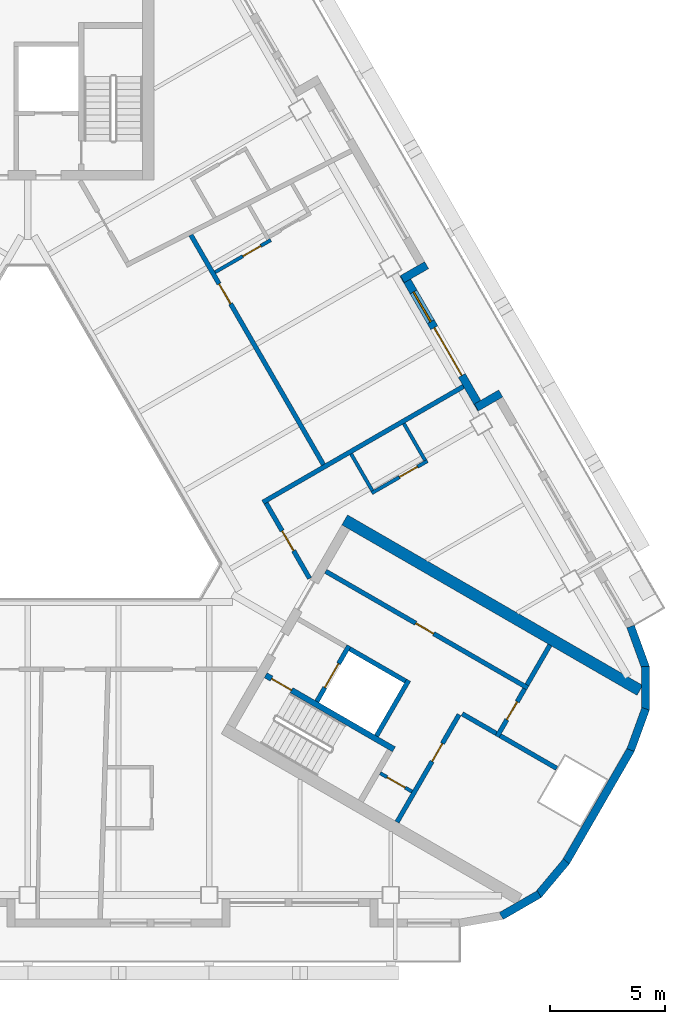
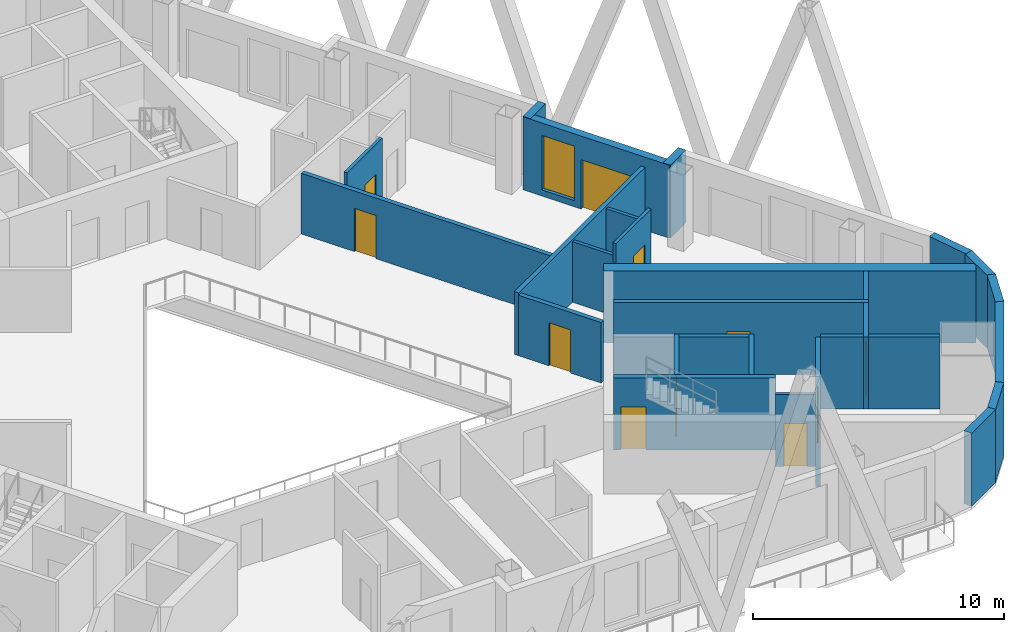
# One storey, part 5 of 14: 28 walls, 11 doors, 1 window, 12 openings.
"""IFC4 building model written with IfcOpenShell, lengths in metres."""

from ifc_helpers import new_model, si_unit, direction, frame, frame_2d, origin, place, context, subcontext, project, spatial, rectangle, extrude, material, layer, layer_set, type_object, element, fill, save


model = new_model("IFC4")

# Units and contexts
model_context = context("Model", 3, precision=1e-05, world=origin(), true_north=direction((0.0, 1.0)))
body_context = subcontext(model_context, "Body", "Model", "MODEL_VIEW")
ifc_project = project(units=[si_unit("LENGTHUNIT", "METRE"), si_unit("AREAUNIT", "SQUARE_METRE"), si_unit("VOLUMEUNIT", "CUBIC_METRE"), si_unit("PLANEANGLEUNIT", "RADIAN"), si_unit("MASSUNIT", "GRAM", prefix="KILO")], contexts=[model_context])

# Site, building, storey
site_placement = place(None, origin())
site = spatial("IfcSite", under=ifc_project, at=site_placement, CompositionType="ELEMENT")
building_placement = place(site_placement, origin())
building = spatial("IfcBuilding", under=site, at=building_placement, Name="Apuvela Tower Hotel", CompositionType="ELEMENT")
storey_placement = place(building_placement, frame((0.0, 0.0, 213.199951171875)))
storey = spatial("IfcBuildingStorey", under=building, at=storey_placement, Name="L52", CompositionType="ELEMENT", Elevation=213.199951171875)

# Wall
ifc_material_1 = material(Name="Concrete C50/60", Category="concrete")
ifc_layer_1 = layer(ifc_material_1, 0.5)
ifc_layer_set_1 = layer_set([ifc_layer_1], Name="COR-WALL-CORE-500")
wall_type_1 = type_object("IfcWallType", Name="COR-WALL-CORE-500", PredefinedType="SHEAR", material=ifc_layer_set_1)
wall_1_placement = place(storey_placement, frame((13.796630859375, -1.9033203125, 0.0), z_axis=(0.0, 0.0, 1.0), x_axis=(0.866025009528, -0.500000682871, 0.0)))
element("IfcWall", 1, at=wall_1_placement, inside=storey, type_object=wall_type_1, Name="Core wall SE", PredefinedType="SHEAR", context=body_context, shape_type="SweptSolid", body=[
    extrude(rectangle(XDim=14.8369140625, YDim=0.5, at=frame_2d((7.41845703125, 0.0))), origin(), (0.0, 0.0, 1.0), 3.5),
])

# Wall, opening, door
ifc_material_2 = material(Name="Blockwork 150 mm plastered", Category="masonry")
ifc_layer_2 = layer(ifc_material_2, 0.14990234375)
ifc_layer_set_2 = layer_set([ifc_layer_2], Name="COR-WALL-PART-150")
wall_type_2 = type_object("IfcWallType", Name="COR-WALL-PART-150", PredefinedType="PARTITIONING", material=ifc_layer_set_2)
wall_2_placement = place(storey_placement, frame((15.341552734375, -12.927734375, 0.0), z_axis=(0.0, 0.0, 1.0), x_axis=(0.865989903783, -0.500061482766, 0.0)))
wall_2 = element("IfcWall", 2, at=wall_2_placement, inside=storey, type_object=wall_type_2, Name="Partition SE", PredefinedType="PARTITIONING", context=body_context, shape_type="SweptSolid", body=[
    extrude(rectangle(XDim=1.599853515625, YDim=0.14990234375, at=frame_2d((0.7998046875, 0.0))), origin(), (0.0, 0.0, 1.0), 3.5),
])
opening_1_placement = place(wall_2_placement, frame((0.35009765625, 0.0, 0.0)))
opening_1 = element("IfcOpeningElement", 3, at=opening_1_placement, cuts=wall_2, Name="Opening E-RD", PredefinedType="OPENING", context=body_context, shape_type="SweptSolid", body=[
    extrude(rectangle(XDim=0.89990234375, YDim=2.10009765625, at=frame_2d((0.449951171875, 1.050048828125))), frame((0.0, 0.0849609375, 0.0), z_axis=(0.0, -1.0, 0.0), x_axis=(1.0, 0.0, 0.0)), (0.0, 0.0, 1.0), 0.169921875),
])
ifc_material_3 = material(Name="Steel access door, powder coated", Category="steel")
door_type_1 = type_object("IfcDoorType", Name="COR-RD-900", OperationType="NOTDEFINED", PredefinedType="DOOR", material=ifc_material_3)
door_1_placement = place(opening_1_placement, frame((0.89990234375, 0.0, 0.0), z_axis=(0.0, 0.0, 1.0), x_axis=(-1.0, 0.0, 0.0)))
door_1 = element("IfcDoor", 4, at=door_1_placement, inside=storey, type_object=door_type_1, Name="Riser door E-RD", OperationType="SINGLE_SWING_LEFT", OverallHeight=2.10009765625, OverallWidth=0.89990234375, PredefinedType="DOOR", context=body_context, shape_type="SweptSolid", body=[
    extrude(rectangle(XDim=0.89990234375, YDim=2.10009765625, at=frame_2d((0.449951171875, 1.050048828125))), frame((0.0, 0.02490234375, 0.0), z_axis=(0.0, -1.0, 0.0), x_axis=(1.0, 0.0, 0.0)), (0.0, 0.0, 1.0), 0.050048828125),
])
fill(opening_1, door_1)

ifc_material_4 = material(Name="Blockwork 200 mm plastered", Category="masonry")
ifc_layer_3 = layer(ifc_material_4, 0.199951171875)
ifc_layer_set_3 = layer_set([ifc_layer_3], Name="COR-WALL-PART-200")
wall_type_3 = type_object("IfcWallType", Name="COR-WALL-PART-200", PredefinedType="PARTITIONING", material=ifc_layer_set_3)
wall_3_placement = place(storey_placement, frame((16.076171875, -15.05517578125, 0.0), z_axis=(0.0, 0.0, 1.0), x_axis=(0.499995103361, 0.866028230842, 0.0)))
wall_3 = element("IfcWall", 5, at=wall_3_placement, inside=storey, type_object=wall_type_3, Name="Partition SE", PredefinedType="PARTITIONING", context=body_context, shape_type="SweptSolid", body=[
    extrude(rectangle(XDim=5.39990234375, YDim=0.199951171875, at=frame_2d((2.699951171875, 0.0))), origin(), (0.0, 0.0, 1.0), 3.5),
])
opening_2_placement = place(wall_3_placement, frame((3.050048828125, 0.0, 0.0)))
opening_2 = element("IfcOpeningElement", 6, at=opening_2_placement, cuts=wall_3, Name="Opening E-RS1", PredefinedType="OPENING", context=body_context, shape_type="SweptSolid", body=[
    extrude(rectangle(XDim=0.89990234375, YDim=2.10009765625, at=frame_2d((0.449951171875, 1.050048828125))), frame((0.0, 0.10986328125, 0.0), z_axis=(0.0, -1.0, 0.0), x_axis=(1.0, 0.0, 0.0)), (0.0, 0.0, 1.0), 0.219970703125),
])
ifc_material_5 = material(Name="Steel fire door, powder coated", Category="steel")
door_type_2 = type_object("IfcDoorType", Name="COR-DR-900", OperationType="NOTDEFINED", PredefinedType="DOOR", material=ifc_material_5)
door_2_placement = place(opening_2_placement, frame((0.89990234375, 0.0, 0.0), z_axis=(0.0, 0.0, 1.0), x_axis=(-1.0, 0.0, 0.0)))
door_2 = element("IfcDoor", 7, at=door_2_placement, inside=storey, type_object=door_type_2, Name="Store door E-RS1", OperationType="SINGLE_SWING_LEFT", OverallHeight=2.10009765625, OverallWidth=0.89990234375, PredefinedType="DOOR", context=body_context, shape_type="SweptSolid", body=[
    extrude(rectangle(XDim=0.89990234375, YDim=2.10009765625, at=frame_2d((0.449951171875, 1.050048828125))), frame((0.0, 0.02490234375, 0.0), z_axis=(0.0, -1.0, 0.0), x_axis=(1.0, 0.0, 0.0)), (0.0, 0.0, 1.0), 0.050048828125),
])
fill(opening_2, door_2)

# Wall
ifc_layer_4 = layer(ifc_material_1, 0.199951171875)
ifc_layer_set_4 = layer_set([ifc_layer_4], Name="COR-WALL-SHAFT-200")
wall_type_4 = type_object("IfcWallType", Name="COR-WALL-SHAFT-200", PredefinedType="SHEAR", material=ifc_layer_set_4)
wall_4_placement = place(storey_placement, frame((15.181396484375, -11.305419921875, 0.0), z_axis=(0.0, 0.0, 1.0), x_axis=(0.49994636267, 0.866056369097, 0.0)))
element("IfcWall", 8, at=wall_4_placement, inside=storey, type_object=wall_type_4, Name="Shaft wall SE", PredefinedType="SHEAR", context=body_context, shape_type="SweptSolid", body=[
    extrude(rectangle(XDim=2.800048828125, YDim=0.199951171875, at=frame_2d((1.39990234375, 0.0))), origin(), (0.0, 0.0, 1.0), 3.5),
])

# Wall, opening, door
wall_5_placement = place(storey_placement, frame((12.583251953125, -9.805419921875, 0.0), z_axis=(0.0, 0.0, 1.0), x_axis=(0.49994636267, 0.866056369097, 0.0)))
wall_5 = element("IfcWall", 9, at=wall_5_placement, inside=storey, type_object=wall_type_4, Name="Shaft wall SE", PredefinedType="SHEAR", context=body_context, shape_type="SweptSolid", body=[
    extrude(rectangle(XDim=2.800048828125, YDim=0.199951171875, at=frame_2d((1.39990234375, 0.0))), origin(), (0.0, 0.0, 1.0), 3.5),
])
opening_3_placement = place(wall_5_placement, frame((0.699951171875, 0.0, 0.0)))
opening_3 = element("IfcOpeningElement", 10, at=opening_3_placement, cuts=wall_5, Name="Opening E-LD-FS3", PredefinedType="OPENING", context=body_context, shape_type="SweptSolid", body=[
    extrude(rectangle(XDim=1.199951171875, YDim=2.10009765625, at=frame_2d((0.60009765625, 1.050048828125))), frame((0.0, 0.10986328125, 0.0), z_axis=(0.0, -1.0, 0.0), x_axis=(1.0, 0.0, 0.0)), (0.0, 0.0, 1.0), 0.219970703125),
])
ifc_material_6 = material(Name="Stainless steel lift landing door", Category="steel")
door_type_3 = type_object("IfcDoorType", Name="COR-LD-1200", OperationType="DOUBLE_DOOR_SLIDING", PredefinedType="DOOR", material=ifc_material_6)
door_3_placement = place(opening_3_placement, origin())
door_3 = element("IfcDoor", 11, at=door_3_placement, inside=storey, type_object=door_type_3, Name="Lift landing door E-LD-FS3", OperationType="DOUBLE_DOOR_SLIDING", OverallHeight=2.10009765625, OverallWidth=1.199951171875, PredefinedType="DOOR", context=body_context, shape_type="SweptSolid", body=[
    extrude(rectangle(XDim=1.199951171875, YDim=2.10009765625, at=frame_2d((0.60009765625, 1.050048828125))), frame((0.0, 0.02490234375, 0.0), z_axis=(0.0, -1.0, 0.0), x_axis=(1.0, 0.0, 0.0)), (0.0, 0.0, 1.0), 0.050048828125),
])
fill(opening_3, door_3)

# Wall
wall_6_placement = place(storey_placement, frame((14.019775390625, -7.51708984375, 0.0), z_axis=(0.0, 0.0, 1.0), x_axis=(0.866034573852, -0.49998411664, 0.0)))
element("IfcWall", 12, at=wall_6_placement, inside=storey, type_object=wall_type_4, Name="Shaft wall SE", PredefinedType="SHEAR", context=body_context, shape_type="SweptSolid", body=[
    extrude(rectangle(XDim=2.7998046875, YDim=0.199951171875, at=frame_2d((1.39990234375, 0.0))), origin(), (0.0, 0.0, 1.0), 3.5),
])

# Wall, opening, door
wall_7_placement = place(storey_placement, frame((12.968017578125, -4.138427734375, 0.0), z_axis=(0.0, 0.0, 1.0), x_axis=(0.866028328073, -0.49999493495, 0.0)))
wall_7 = element("IfcWall", 13, at=wall_7_placement, inside=storey, type_object=wall_type_4, Name="Shaft wall SE", PredefinedType="SHEAR", context=body_context, shape_type="SweptSolid", body=[
    extrude(rectangle(XDim=10.16015625, YDim=0.199951171875, at=frame_2d((5.080078125, 0.0))), origin(), (0.0, 0.0, 1.0), 3.5),
])
opening_4_placement = place(wall_7_placement, frame((4.530029296875, 0.0, 0.0)))
opening_4 = element("IfcOpeningElement", 14, at=opening_4_placement, cuts=wall_7, Name="Opening E-RE1", PredefinedType="OPENING", context=body_context, shape_type="SweptSolid", body=[
    extrude(rectangle(XDim=0.89990234375, YDim=2.10009765625, at=frame_2d((0.449951171875, 1.050048828125))), frame((0.0, 0.10986328125, 0.0), z_axis=(0.0, -1.0, 0.0), x_axis=(1.0, 0.0, 0.0)), (0.0, 0.0, 1.0), 0.219970703125),
])
door_4_placement = place(opening_4_placement, origin())
door_4 = element("IfcDoor", 15, at=door_4_placement, inside=storey, type_object=door_type_2, Name="Store door E-RE1", OperationType="SINGLE_SWING_LEFT", OverallHeight=2.10009765625, OverallWidth=0.89990234375, PredefinedType="DOOR", context=body_context, shape_type="SweptSolid", body=[
    extrude(rectangle(XDim=0.89990234375, YDim=2.10009765625, at=frame_2d((0.449951171875, 1.050048828125))), frame((0.0, 0.02490234375, 0.0), z_axis=(0.0, -1.0, 0.0), x_axis=(1.0, 0.0, 0.0)), (0.0, 0.0, 1.0), 0.050048828125),
])
fill(opening_4, door_4)

wall_8_placement = place(storey_placement, frame((20.430419921875, -11.33349609375, 0.0), z_axis=(0.0, 0.0, 1.0), x_axis=(0.500001309137, 0.866024647952, 0.0)))
wall_8 = element("IfcWall", 16, at=wall_8_placement, inside=storey, type_object=wall_type_4, Name="Shaft wall SE", PredefinedType="SHEAR", context=body_context, shape_type="SweptSolid", body=[
    extrude(rectangle(XDim=2.39990234375, YDim=0.199951171875, at=frame_2d((1.199951171875, 0.0))), origin(), (0.0, 0.0, 1.0), 3.5),
])
opening_5_placement = place(wall_8_placement, frame((0.85009765625, 0.0, 0.0)))
opening_5 = element("IfcOpeningElement", 17, at=opening_5_placement, cuts=wall_8, Name="Opening E-REP", PredefinedType="OPENING", context=body_context, shape_type="SweptSolid", body=[
    extrude(rectangle(XDim=0.89990234375, YDim=2.10009765625, at=frame_2d((0.449951171875, 1.050048828125))), frame((0.0, 0.10986328125, 0.0), z_axis=(0.0, -1.0, 0.0), x_axis=(1.0, 0.0, 0.0)), (0.0, 0.0, 1.0), 0.219970703125),
])
door_5_placement = place(opening_5_placement, frame((0.89990234375, 0.0, 0.0), z_axis=(0.0, 0.0, 1.0), x_axis=(-1.0, 0.0, 0.0)))
door_5 = element("IfcDoor", 18, at=door_5_placement, inside=storey, type_object=door_type_2, Name="Store door E-REP", OperationType="SINGLE_SWING_RIGHT", OverallHeight=2.10009765625, OverallWidth=0.89990234375, PredefinedType="DOOR", context=body_context, shape_type="SweptSolid", body=[
    extrude(rectangle(XDim=0.89990234375, YDim=2.10009765625, at=frame_2d((0.449951171875, 1.050048828125))), frame((0.0, 0.02490234375, 0.0), z_axis=(0.0, -1.0, 0.0), x_axis=(1.0, 0.0, 0.0)), (0.0, 0.0, 1.0), 0.050048828125),
])
fill(opening_5, door_5)

# Walls
wall_9_placement = place(storey_placement, frame((18.912841796875, -10.342041015625, 0.0), z_axis=(0.0, 0.0, 1.0), x_axis=(0.866038183914, -0.499977863513, 0.0)))
element("IfcWall", 19, at=wall_9_placement, inside=storey, type_object=wall_type_4, Name="Shaft wall SE", PredefinedType="SHEAR", context=body_context, shape_type="SweptSolid", body=[
    extrude(rectangle(XDim=1.7099609375, YDim=0.199951171875, at=frame_2d((0.85498046875, 0.0))), origin(), (0.0, 0.0, 1.0), 3.5),
])
wall_10_placement = place(storey_placement, frame((21.73046875, -9.081787109375, 0.0), z_axis=(0.0, 0.0, 1.0), x_axis=(0.50002537861, 0.866010750942, 0.0)))
element("IfcWall", 20, at=wall_10_placement, inside=storey, type_object=wall_type_4, Name="Shaft wall SE", PredefinedType="SHEAR", context=body_context, shape_type="SweptSolid", body=[
    extrude(rectangle(XDim=2.0, YDim=0.199951171875, at=frame_2d((1.0, 0.0))), origin(), (0.0, 0.0, 1.0), 3.5),
])
wall_11_placement = place(storey_placement, frame((20.56689453125, -11.297119140625, 0.0), z_axis=(0.0, 0.0, 1.0), x_axis=(0.866055327414, -0.49994816717, 0.0)))
element("IfcWall", 21, at=wall_11_placement, inside=storey, type_object=wall_type_4, Name="Shaft wall SE", PredefinedType="SHEAR", context=body_context, shape_type="SweptSolid", body=[
    extrude(rectangle(XDim=2.840087890625, YDim=0.199951171875, at=frame_2d((1.419921875, 0.0))), origin(), (0.0, 0.0, 1.0), 3.5),
])

# Wall, opening, door
ifc_layer_5 = layer(ifc_material_1, 0.25)
ifc_layer_set_5 = layer_set([ifc_layer_5], Name="COR-WALL-STAIR-250")
wall_type_5 = type_object("IfcWallType", Name="COR-WALL-STAIR-250", PredefinedType="SHEAR", material=ifc_layer_set_5)
wall_12_placement = place(storey_placement, frame((10.355712890625, -8.66357421875, 0.0), z_axis=(0.0, 0.0, 1.0), x_axis=(0.866028629588, -0.499994412703, 0.0)))
wall_12 = element("IfcWall", 22, at=wall_12_placement, inside=storey, type_object=wall_type_5, Name="Stair wall SE", PredefinedType="SHEAR", context=body_context, shape_type="SweptSolid", body=[
    extrude(rectangle(XDim=6.44970703125, YDim=0.25, at=frame_2d((3.224853515625, 0.0))), origin(), (0.0, 0.0, 1.0), 3.5),
])
opening_6_placement = place(wall_12_placement, frame((0.300048828125, 0.0, 0.0)))
opening_6 = element("IfcOpeningElement", 23, at=opening_6_placement, cuts=wall_12, Name="Opening E-SD", PredefinedType="OPENING", context=body_context, shape_type="SweptSolid", body=[
    extrude(rectangle(XDim=1.0, YDim=2.10009765625, at=frame_2d((0.5, 1.050048828125))), frame((0.0, 0.135009765625, 0.0), z_axis=(0.0, -1.0, 0.0), x_axis=(1.0, 0.0, 0.0)), (0.0, 0.0, 1.0), 0.27001953125),
])
door_type_4 = type_object("IfcDoorType", Name="COR-SD-1000", OperationType="NOTDEFINED", PredefinedType="DOOR", material=ifc_material_5)
door_6_placement = place(opening_6_placement, frame((1.0, 0.0, 0.0), z_axis=(0.0, 0.0, 1.0), x_axis=(-1.0, 0.0, 0.0)))
door_6 = element("IfcDoor", 24, at=door_6_placement, inside=storey, type_object=door_type_4, Name="Stair door E-SD", OperationType="SINGLE_SWING_LEFT", OverallHeight=2.10009765625, OverallWidth=1.0, PredefinedType="DOOR", context=body_context, shape_type="SweptSolid", body=[
    extrude(rectangle(XDim=1.0, YDim=2.10009765625, at=frame_2d((0.5, 1.050048828125))), frame((0.0, 0.02490234375, 0.0), z_axis=(0.0, -1.0, 0.0), x_axis=(1.0, 0.0, 0.0)), (0.0, 0.0, 1.0), 0.050048828125),
])
fill(opening_6, door_6)

# Walls
ifc_material_7 = material(Name="Concrete C40/50, dark pigmented precast panel", Category="concrete")
ifc_layer_6 = layer(ifc_material_7, 0.35009765625)
ifc_layer_set_6 = layer_set([ifc_layer_6], Name="ENV-WALL-350")
wall_type_6 = type_object("IfcWallType", Name="ENV-WALL-350", PredefinedType="SOLIDWALL", material=ifc_layer_set_6)
for number, where, z_axis, x_axis, name in (
    (25, (20.609619140625, -19.146728515625, 0.0), (0.0, 0.0, 1.0), (0.866000389056, 0.500043324278, 0.0), "External wall L52-27"),
    (26, (22.21728515625, -18.230712890625, 0.0), (0.0, 0.0, 1.0), (0.642733291068, 0.76609001857, 0.0), "External wall L52-28"),
):
    element("IfcWall", number, at=place(storey_placement, frame(where, z_axis=z_axis, x_axis=x_axis)), inside=storey, type_object=wall_type_6, Name=name, PredefinedType="SOLIDWALL", context=body_context, shape_type="SweptSolid", body=[
        extrude(rectangle(XDim=1.909912109375, YDim=0.35009765625, at=frame_2d((0.955078125, 0.0))), origin(), (0.0, 0.0, 1.0), 3.550048828125),
    ])
wall_13_placement = place(storey_placement, frame((23.427490234375, -16.79248046875, 0.0), z_axis=(0.0, 0.0, 1.0), x_axis=(0.500018773155, 0.866014564827, 0.0)))
element("IfcWall", 27, at=wall_13_placement, inside=storey, type_object=wall_type_6, Name="External wall L52-29", PredefinedType="SOLIDWALL", context=body_context, shape_type="SweptSolid", body=[
    extrude(rectangle(XDim=5.657958984375, YDim=0.35009765625, at=frame_2d((2.8291015625, 0.0))), origin(), (0.0, 0.0, 1.0), 3.550048828125),
])
for number, where, z_axis, x_axis, name in (
    (28, (26.24365234375, -11.920166015625, 0.0), (0.0, 0.0, 1.0), (0.342030395486, 0.939688889242, 0.0), "External wall L52-30"),
    (29, (26.88623046875, -10.18505859375, 0.0), (0.0, 0.0, 1.0), (0.0, 1.0, 0.0), "External wall L52-31"),
    (30, (26.89697265625, -8.334716796875, 0.0), (0.0, 0.0, 1.0), (-0.342030395486, 0.939688889242, 0.0), "External wall L52-32"),
):
    element("IfcWall", number, at=place(storey_placement, frame(where, z_axis=z_axis, x_axis=x_axis)), inside=storey, type_object=wall_type_6, Name=name, PredefinedType="SOLIDWALL", context=body_context, shape_type="SweptSolid", body=[
        extrude(rectangle(XDim=1.91015625, YDim=0.35009765625, at=frame_2d((0.955078125, 0.0))), origin(), (0.0, 0.0, 1.0), 3.550048828125),
    ])
wall_14_placement = place(storey_placement, frame((20.587646484375, 3.601318359375, 0.0), z_axis=(0.0, 0.0, 1.0), x_axis=(-0.866005645448, -0.500034220881, 0.0)))
element("IfcWall", 31, at=wall_14_placement, inside=storey, type_object=wall_type_6, Name="External wall L52-34", PredefinedType="SOLIDWALL", context=body_context, shape_type="SweptSolid", body=[
    extrude(rectangle(XDim=1.22021484375, YDim=0.35009765625, at=frame_2d((0.610107421875, 0.0))), origin(), (0.0, 0.0, 1.0), 3.550048828125),
])

# Wall, openings, door, window
wall_15_placement = place(storey_placement, frame((19.72900390625, 2.93798828125, 0.0), z_axis=(0.0, 0.0, 1.0), x_axis=(-0.499976430342, 0.866039011305, 0.0)))
wall_15 = element("IfcWall", 32, at=wall_15_placement, inside=storey, type_object=wall_type_6, Name="External wall L52-35", PredefinedType="SOLIDWALL", context=body_context, shape_type="SweptSolid", body=[
    extrude(rectangle(XDim=6.739990234375, YDim=0.35009765625, at=frame_2d((3.3701171875, 0.0))), origin(), (0.0, 0.0, 1.0), 3.550048828125),
])
opening_7_placement = place(wall_15_placement, frame((1.670166015625, 0.0, 0.0)))
opening_7 = element("IfcOpeningElement", 33, at=opening_7_placement, cuts=wall_15, Name="Opening BD24", PredefinedType="OPENING", context=body_context, shape_type="SweptSolid", body=[
    extrude(rectangle(XDim=2.39990234375, YDim=2.39990234375, at=frame_2d((1.199951171875, 1.199951171875))), frame((0.0, 0.18505859375, 0.0), z_axis=(0.0, -1.0, 0.0), x_axis=(1.0, 0.0, 0.0)), (0.0, 0.0, 1.0), 0.3701171875),
])
opening_8_placement = place(wall_15_placement, frame((4.3701171875, 0.0, 0.300048828125)))
opening_8 = element("IfcOpeningElement", 34, at=opening_8_placement, cuts=wall_15, Name="Opening WN15", PredefinedType="OPENING", context=body_context, shape_type="SweptSolid", body=[
    extrude(rectangle(XDim=1.5, YDim=2.64990234375, at=frame_2d((0.75, 1.324951171875))), frame((0.0, 0.18505859375, 0.0), z_axis=(0.0, -1.0, 0.0), x_axis=(1.0, 0.0, 0.0)), (0.0, 0.0, 1.0), 0.3701171875),
])
ifc_material_8 = material(Name="Aluminium 6063-T6, dark bronze anodised frame with dark tinted laminated glass", Category="aluminium")
door_type_5 = type_object("IfcDoorType", Name="ENV-DOOR-BALCONY-2400x2400", OperationType="SLIDING_TO_LEFT", PredefinedType="DOOR", material=ifc_material_8)
door_7_placement = place(opening_7_placement, frame((2.39990234375, 0.0, 0.0), z_axis=(0.0, 0.0, 1.0), x_axis=(-1.0, 0.0, 0.0)))
door_7 = element("IfcDoor", 35, at=door_7_placement, inside=storey, type_object=door_type_5, Name="Balcony door BD24", OperationType="SLIDING_TO_LEFT", OverallHeight=2.39990234375, OverallWidth=2.39990234375, PredefinedType="DOOR", context=body_context, shape_type="SweptSolid", body=[
    extrude(rectangle(XDim=2.39990234375, YDim=2.39990234375, at=frame_2d((1.199951171875, 1.199951171875))), frame((0.0, 0.02490234375, 0.0), z_axis=(0.0, -1.0, 0.0), x_axis=(1.0, 0.0, 0.0)), (0.0, 0.0, 1.0), 0.050048828125),
])
fill(opening_7, door_7)
ifc_material_9 = material(Name="Glass, dark tinted laminated insulated glazing unit", Category="glass")
window_type = type_object("IfcWindowType", Name="ENV-WIN-1500x2650", PartitioningType="SINGLE_PANEL", PredefinedType="WINDOW", material=ifc_material_9)
window_placement = place(opening_8_placement, origin())
window = element("IfcWindow", 36, at=window_placement, inside=storey, type_object=window_type, Name="Window WN15", OverallHeight=2.64990234375, OverallWidth=1.5, PartitioningType="SINGLE_PANEL", PredefinedType="WINDOW", context=body_context, shape_type="SweptSolid", body=[
    extrude(rectangle(XDim=1.5, YDim=2.64990234375, at=frame_2d((0.75, 1.324951171875))), frame((0.0, 0.030029296875, 0.0), z_axis=(0.0, -1.0, 0.0), x_axis=(1.0, 0.0, 0.0)), (0.0, 0.0, 1.0), 0.06005859375),
])
fill(opening_8, window)

# Walls
wall_16_placement = place(storey_placement, frame((16.305908203125, 8.5771484375, 0.0), z_axis=(0.0, 0.0, 1.0), x_axis=(0.866092288191, 0.499884134912, 0.0)))
element("IfcWall", 37, at=wall_16_placement, inside=storey, type_object=wall_type_6, Name="External wall L52-36", PredefinedType="SOLIDWALL", context=body_context, shape_type="SweptSolid", body=[
    extrude(rectangle(XDim=1.219970703125, YDim=0.35009765625, at=frame_2d((0.60986328125, 0.0))), origin(), (0.0, 0.0, 1.0), 3.550048828125),
])
ifc_material_10 = material(Name="Gypsum board partition on twin steel stud", Category="steel")
ifc_layer_7 = layer(ifc_material_10, 0.199951171875)
ifc_layer_set_7 = layer_set([ifc_layer_7], Name="GST-PW1")
wall_type_7 = type_object("IfcWallType", Name="GST-PW1", PredefinedType="PARTITIONING", material=ifc_layer_set_7)
wall_17_placement = place(storey_placement, frame((18.967529296875, 3.9072265625, 0.0), z_axis=(0.0, 0.0, 1.0), x_axis=(-0.866022637375, -0.500004791531, 0.0)))
element("IfcWall", 38, at=wall_17_placement, inside=storey, type_object=wall_type_7, Name="L52 partition 03", PredefinedType="PARTITIONING", context=body_context, shape_type="SweptSolid", body=[
    extrude(rectangle(XDim=10.080078125, YDim=0.199951171875, at=frame_2d((5.0400390625, 0.0))), origin(), (0.0, 0.0, 1.0), 3.06005859375),
])

# Wall, opening, door
ifc_material_11 = material(Name="Gypsum board corridor wall on twin steel stud, acoustic", Category="steel")
ifc_layer_8 = layer(ifc_material_11, 0.199951171875)
ifc_layer_set_8 = layer_set([ifc_layer_8], Name="GST-PW2")
wall_type_8 = type_object("IfcWallType", Name="GST-PW2", PredefinedType="PARTITIONING", material=ifc_layer_set_8)
wall_18_placement = place(storey_placement, frame((10.37451171875, -1.16943359375, 0.0), z_axis=(0.0, 0.0, 1.0), x_axis=(0.500055316652, -0.865993464345, 0.0)))
wall_18 = element("IfcWall", 39, at=wall_18_placement, inside=storey, type_object=wall_type_8, Name="L52 partition 18", PredefinedType="PARTITIONING", context=body_context, shape_type="SweptSolid", body=[
    extrude(rectangle(XDim=3.7880859375, YDim=0.199951171875, at=frame_2d((1.89404296875, 0.0))), origin(), (0.0, 0.0, 1.0), 2.949951171875),
])
opening_9_placement = place(wall_18_placement, frame((1.39404296875, 0.0, 0.0)))
opening_9 = element("IfcOpeningElement", 40, at=opening_9_placement, cuts=wall_18, Name="Opening GD20-08", PredefinedType="OPENING", context=body_context, shape_type="SweptSolid", body=[
    extrude(rectangle(XDim=1.0, YDim=2.10009765625, at=frame_2d((0.5, 1.050048828125))), frame((0.0, 0.10986328125, 0.0), z_axis=(0.0, -1.0, 0.0), x_axis=(1.0, 0.0, 0.0)), (0.0, 0.0, 1.0), 0.219970703125),
])
ifc_material_12 = material(Name="Timber door leaf in steel frame", Category="steel")
door_type_6 = type_object("IfcDoorType", Name="GST-D1", OperationType="NOTDEFINED", PredefinedType="DOOR", material=ifc_material_12)
door_8_placement = place(opening_9_placement, origin())
door_8 = element("IfcDoor", 41, at=door_8_placement, inside=storey, type_object=door_type_6, Name="Door L52-08", OperationType="SINGLE_SWING_LEFT", OverallHeight=2.10009765625, OverallWidth=1.0, PredefinedType="DOOR", context=body_context, shape_type="SweptSolid", body=[
    extrude(rectangle(XDim=1.0, YDim=2.10009765625, at=frame_2d((0.5, 1.050048828125))), frame((0.0, 0.02490234375, 0.0), z_axis=(0.0, -1.0, 0.0), x_axis=(1.0, 0.0, 0.0)), (0.0, 0.0, 1.0), 0.050048828125),
])
fill(opening_9, door_8)

wall_19_placement = place(storey_placement, frame((7.100830078125, 10.501220703125, 0.0), z_axis=(0.0, 0.0, 1.0), x_axis=(0.500001329633, -0.866024636119, 0.0)))
wall_19 = element("IfcWall", 42, at=wall_19_placement, inside=storey, type_object=wall_type_8, Name="L52 partition 22", PredefinedType="PARTITIONING", context=body_context, shape_type="SweptSolid", body=[
    extrude(rectangle(XDim=11.5439453125, YDim=0.199951171875, at=frame_2d((5.77197265625, 0.0))), origin(), (0.0, 0.0, 1.0), 2.949951171875),
])
opening_10_placement = place(wall_19_placement, frame((2.455322265625, 0.0, 0.0)))
opening_10 = element("IfcOpeningElement", 43, at=opening_10_placement, cuts=wall_19, Name="Opening GD20-11", PredefinedType="OPENING", context=body_context, shape_type="SweptSolid", body=[
    extrude(rectangle(XDim=1.0, YDim=2.10009765625, at=frame_2d((0.5, 1.050048828125))), frame((0.0, 0.10986328125, 0.0), z_axis=(0.0, -1.0, 0.0), x_axis=(1.0, 0.0, 0.0)), (0.0, 0.0, 1.0), 0.219970703125),
])
door_9_placement = place(opening_10_placement, origin())
door_9 = element("IfcDoor", 44, at=door_9_placement, inside=storey, type_object=door_type_6, Name="Door L52-11", OperationType="SINGLE_SWING_RIGHT", OverallHeight=2.10009765625, OverallWidth=1.0, PredefinedType="DOOR", context=body_context, shape_type="SweptSolid", body=[
    extrude(rectangle(XDim=1.0, YDim=2.10009765625, at=frame_2d((0.5, 1.050048828125))), frame((0.0, 0.02490234375, 0.0), z_axis=(0.0, -1.0, 0.0), x_axis=(1.0, 0.0, 0.0)), (0.0, 0.0, 1.0), 0.050048828125),
])
fill(opening_10, door_9)

ifc_material_13 = material(Name="Moisture-resistant gypsum board wet wall on steel stud", Category="steel")
ifc_layer_9 = layer(ifc_material_13, 0.14990234375)
ifc_layer_set_9 = layer_set([ifc_layer_9], Name="GST-PW3")
wall_type_9 = type_object("IfcWallType", Name="GST-PW3", PredefinedType="PARTITIONING", material=ifc_layer_set_9)
wall_20_placement = place(storey_placement, frame((14.974365234375, -0.736572265625, 0.0), z_axis=(0.0, 0.0, 1.0), x_axis=(0.866018616679, 0.500011755427, 0.0)))
wall_20 = element("IfcWall", 45, at=wall_20_placement, inside=storey, type_object=wall_type_9, Name="L52 partition 19", PredefinedType="PARTITIONING", context=body_context, shape_type="SweptSolid", body=[
    extrude(rectangle(XDim=2.80029296875, YDim=0.14990234375, at=frame_2d((1.400146484375, 0.0))), origin(), (0.0, 0.0, 1.0), 3.550048828125),
])
opening_11_placement = place(wall_20_placement, frame((1.39990234375, 0.0, 0.0)))
opening_11 = element("IfcOpeningElement", 46, at=opening_11_placement, cuts=wall_20, Name="Opening GD20-07", PredefinedType="OPENING", context=body_context, shape_type="SweptSolid", body=[
    extrude(rectangle(XDim=0.89990234375, YDim=2.10009765625, at=frame_2d((0.449951171875, 1.050048828125))), frame((0.0, 0.0849609375, 0.0), z_axis=(0.0, -1.0, 0.0), x_axis=(1.0, 0.0, 0.0)), (0.0, 0.0, 1.0), 0.169921875),
])
door_type_7 = type_object("IfcDoorType", Name="GST-D2", OperationType="NOTDEFINED", PredefinedType="DOOR", material=ifc_material_12)
door_10_placement = place(opening_11_placement, origin())
door_10 = element("IfcDoor", 47, at=door_10_placement, inside=storey, type_object=door_type_7, Name="Door L52-07", OperationType="SINGLE_SWING_RIGHT", OverallHeight=2.10009765625, OverallWidth=0.89990234375, PredefinedType="DOOR", context=body_context, shape_type="SweptSolid", body=[
    extrude(rectangle(XDim=0.89990234375, YDim=2.10009765625, at=frame_2d((0.449951171875, 1.050048828125))), frame((0.0, 0.02490234375, 0.0), z_axis=(0.0, -1.0, 0.0), x_axis=(1.0, 0.0, 0.0)), (0.0, 0.0, 1.0), 0.050048828125),
])
fill(opening_11, door_10)

# Walls
wall_21_placement = place(storey_placement, frame((17.296875, 0.69091796875, 0.0), z_axis=(0.0, 0.0, 1.0), x_axis=(-0.499985172903, 0.866033964044, 0.0)))
element("IfcWall", 48, at=wall_21_placement, inside=storey, type_object=wall_type_9, Name="L52 partition 20", PredefinedType="PARTITIONING", context=body_context, shape_type="SweptSolid", body=[
    extrude(rectangle(XDim=1.85009765625, YDim=0.14990234375, at=frame_2d((0.925048828125, 0.0))), origin(), (0.0, 0.0, 1.0), 2.949951171875),
])
wall_22_placement = place(storey_placement, frame((15.001953125, -0.634033203125, 0.0), z_axis=(0.0, 0.0, 1.0), x_axis=(-0.500042316284, 0.866000971088, 0.0)))
element("IfcWall", 49, at=wall_22_placement, inside=storey, type_object=wall_type_9, Name="L52 partition 21", PredefinedType="PARTITIONING", context=body_context, shape_type="SweptSolid", body=[
    extrude(rectangle(XDim=1.849853515625, YDim=0.14990234375, at=frame_2d((0.9248046875, 0.0))), origin(), (0.0, 0.0, 1.0), 2.949951171875),
])

# Wall, opening, door
wall_23_placement = place(storey_placement, frame((8.152587890625, 8.87939453125, 0.0), z_axis=(0.0, 0.0, 1.0), x_axis=(0.866034573852, 0.49998411664, 0.0)))
wall_23 = element("IfcWall", 50, at=wall_23_placement, inside=storey, type_object=wall_type_9, Name="L52 partition 23", PredefinedType="PARTITIONING", context=body_context, shape_type="SweptSolid", body=[
    extrude(rectangle(XDim=2.7998046875, YDim=0.14990234375, at=frame_2d((1.39990234375, 0.0))), origin(), (0.0, 0.0, 1.0), 3.550048828125),
])
opening_12_placement = place(wall_23_placement, frame((1.39990234375, 0.0, 0.0)))
opening_12 = element("IfcOpeningElement", 51, at=opening_12_placement, cuts=wall_23, Name="Opening GD20-09", PredefinedType="OPENING", context=body_context, shape_type="SweptSolid", body=[
    extrude(rectangle(XDim=0.89990234375, YDim=2.10009765625, at=frame_2d((0.449951171875, 1.050048828125))), frame((0.0, 0.0849609375, 0.0), z_axis=(0.0, -1.0, 0.0), x_axis=(1.0, 0.0, 0.0)), (0.0, 0.0, 1.0), 0.169921875),
])
door_11_placement = place(opening_12_placement, origin())
door_11 = element("IfcDoor", 52, at=door_11_placement, inside=storey, type_object=door_type_7, Name="Door L52-09", OperationType="SINGLE_SWING_RIGHT", OverallHeight=2.10009765625, OverallWidth=0.89990234375, PredefinedType="DOOR", context=body_context, shape_type="SweptSolid", body=[
    extrude(rectangle(XDim=0.89990234375, YDim=2.10009765625, at=frame_2d((0.449951171875, 1.050048828125))), frame((0.0, 0.02490234375, 0.0), z_axis=(0.0, -1.0, 0.0), x_axis=(1.0, 0.0, 0.0)), (0.0, 0.0, 1.0), 0.050048828125),
])
fill(opening_12, door_11)

save(model, "model.ifc")
